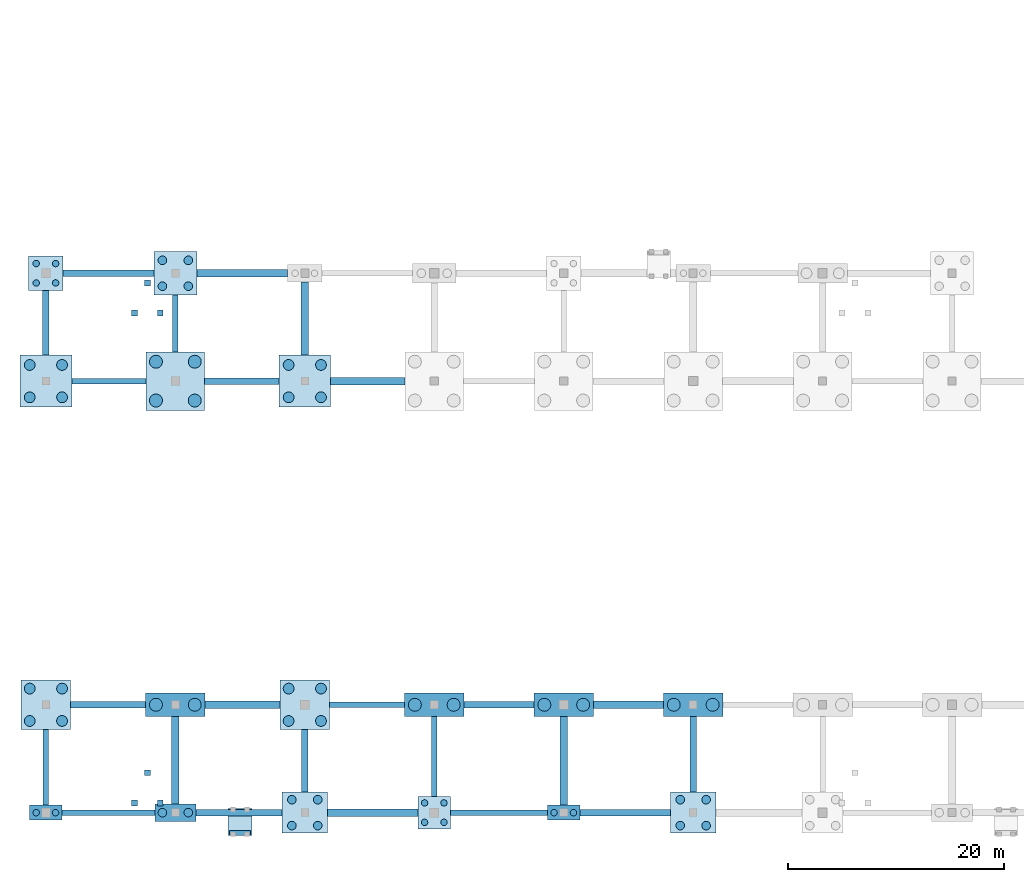
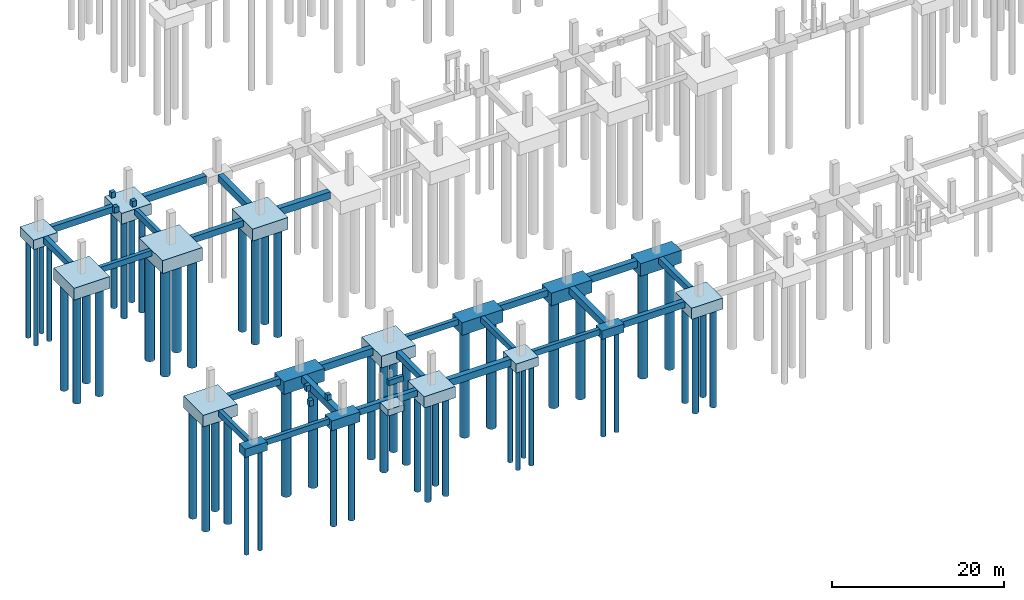
# One storey, part 1 of 19: 54 piles, 49 footings.
"""IFC4 building model written with IfcOpenShell, lengths in metres."""

import ifcopenshell
import ifcopenshell.guid

model = None  # the IFC model being written
_history = None  # IfcOwnerHistory: only IFC2X3 demands one
_inside = {}  # id of a spatial element -> (the spatial element, [elements in it])
_under = {}  # id of a project, library or spatial element -> (it, [spatial elements below it])
_declared = {}  # id of a project -> (the project, [libraries it declares])
_typed = {}  # id of a type object -> (the type object, [elements of that type])
_made_of = {}  # id of a material, layer set ... -> (it, [elements and type objects made of it])


def new_model(schema):
    """Start an empty IFC model of exactly this schema.

    Asked for "IFC4X3", IfcOpenShell would pick the latest addendum, in which some entities
    have other attributes; the version numbers below select the first issue.
    IFC2X3 requires an IfcOwnerHistory on every rooted entity: one is made here for all.
    """
    global model, _history
    if schema == "IFC4X3":
        model = ifcopenshell.file(schema_version=(4, 3, 0, 0))
    else:
        model = ifcopenshell.file(schema=schema)
    _inside.clear()
    _under.clear()
    _declared.clear()
    _typed.clear()
    _made_of.clear()
    _history = None
    if model.schema == "IFC2X3":
        org = make("IfcOrganization", Name="unknown")
        user = make(
            "IfcPersonAndOrganization",
            ThePerson=make("IfcPerson", FamilyName="unknown"),
            TheOrganization=org,
        )
        app = make(
            "IfcApplication",
            ApplicationDeveloper=org,
            Version="unknown",
            ApplicationFullName="unknown",
            ApplicationIdentifier="unknown",
        )
        _history = make(
            "IfcOwnerHistory",
            OwningUser=user,
            OwningApplication=app,
            ChangeAction="ADDED",
            CreationDate=0,
        )
    return model


def make(cls, **values):
    """One entity of the class cls with the attributes given. An attribute that is None is left unset."""
    return model.create_entity(
        cls, **{name: value for name, value in values.items() if value is not None}
    )


def rooted(cls, **values):
    """An entity with a GlobalId (a new one), such as an element, a storey or a relation."""
    return make(cls, GlobalId=ifcopenshell.guid.new(), OwnerHistory=_history, **values)


def si_unit(unit_type, name, prefix=None):
    """IfcSIUnit, for example si_unit("LENGTHUNIT", "METRE", prefix="MILLI")."""
    return make("IfcSIUnit", UnitType=unit_type, Prefix=prefix, Name=name)


def assignment(units):
    """IfcUnitAssignment: the units of a project."""
    return None if units is None else make("IfcUnitAssignment", Units=units)


def point(xyz):
    """IfcCartesianPoint."""
    return None if xyz is None else make("IfcCartesianPoint", Coordinates=xyz)


def direction(xyz):
    """IfcDirection."""
    return None if xyz is None else make("IfcDirection", DirectionRatios=xyz)


def frame(location, z_axis=None, x_axis=None):
    """IfcAxis2Placement3D, a coordinate frame: its origin and axes. An axis left out is left unset."""
    return make(
        "IfcAxis2Placement3D",
        Location=point(location),
        Axis=direction(z_axis),
        RefDirection=direction(x_axis),
    )


def frame_2d(location, x_axis=None):
    """IfcAxis2Placement2D, a coordinate frame in the plane: its origin and x axis."""
    return make(
        "IfcAxis2Placement2D", Location=point(location), RefDirection=direction(x_axis)
    )


def origin():
    """The frame at (0, 0, 0) with its axes left unset."""
    return frame((0.0, 0.0, 0.0))


def origin_2d():
    """The frame at (0, 0) in the plane with its x axis left unset."""
    return frame_2d((0.0, 0.0))


def place(relative_to, where):
    """IfcLocalPlacement: puts the frame where relative to a parent placement (None: the world)."""
    return make(
        "IfcLocalPlacement", PlacementRelTo=relative_to, RelativePlacement=where
    )


def context(
    kind, dimensions, precision=None, world=None, true_north=None, identifier=None
):
    """IfcGeometricRepresentationContext, for example the 3D "Model" context."""
    return make(
        "IfcGeometricRepresentationContext",
        ContextIdentifier=identifier,
        ContextType=kind,
        CoordinateSpaceDimension=dimensions,
        Precision=precision,
        WorldCoordinateSystem=world,
        TrueNorth=true_north,
    )


def subcontext(parent, identifier, kind, view, scale=None):
    """IfcGeometricRepresentationSubContext, for example "Body" below "Model"."""
    return make(
        "IfcGeometricRepresentationSubContext",
        ContextIdentifier=identifier,
        ContextType=kind,
        ParentContext=parent,
        TargetScale=scale,
        TargetView=view,
    )


def project(units=None, contexts=None):
    """IfcProject with its units and contexts."""
    return rooted(
        "IfcProject",
        Name="project",
        RepresentationContexts=contexts,
        UnitsInContext=assignment(units),
    )


def spatial(cls, under=None, at=None, **own):
    """A site, building, storey or space (cls), placed at a placement, below another one or the project."""
    s = rooted(cls, ObjectPlacement=at, **own)
    if under is not None:
        _under.setdefault(under.id(), (under, []))[1].append(s)
    return s


def polyline(points):
    """IfcPolyline through the points."""
    return make("IfcPolyline", Points=[point(p) for p in points])


def profile(cls, at=None, kind="AREA", **sizes):
    """A parametric profile (cls). Its sizes go by their IFC names, for example OverallWidth=200.0."""
    return make(cls, ProfileType=kind, Position=at, **sizes)


def rectangle(**sizes):
    """IfcRectangleProfileDef."""
    return profile("IfcRectangleProfileDef", **sizes)


def circle(**sizes):
    """IfcCircleProfileDef."""
    return profile("IfcCircleProfileDef", **sizes)


def outline(outer, holes=None, kind="AREA"):
    """IfcArbitraryClosedProfileDef: a profile drawn as a closed curve; with holes, ...WithVoids."""
    if holes is None:
        return make("IfcArbitraryClosedProfileDef", ProfileType=kind, OuterCurve=outer)
    return make(
        "IfcArbitraryProfileDefWithVoids",
        ProfileType=kind,
        OuterCurve=outer,
        InnerCurves=holes,
    )


def extrude(swept, where, along, depth):
    """IfcExtrudedAreaSolid: the profile swept, set in the frame where, extruded along a direction by depth."""
    return make(
        "IfcExtrudedAreaSolid",
        SweptArea=swept,
        Position=where,
        ExtrudedDirection=direction(along),
        Depth=depth,
    )


def shape(context_of_items, identifier, shape_type, items):
    """IfcShapeRepresentation: the items that make up one representation, for example the "Body"."""
    return make(
        "IfcShapeRepresentation",
        ContextOfItems=context_of_items,
        RepresentationIdentifier=identifier,
        RepresentationType=shape_type,
        Items=items,
    )


def material(Name=None, Category=None):
    """IfcMaterial."""
    return make("IfcMaterial", Name=Name, Category=Category)


def material_profile(
    of_material, cross_section, Name=None, Category=None, Priority=None
):
    """IfcMaterialProfile: a cross section and its material."""
    return make(
        "IfcMaterialProfile",
        Name=Name,
        Material=of_material,
        Profile=cross_section,
        Priority=Priority,
        Category=Category,
    )


def profile_set(profiles, Name=None, composite=None):
    """IfcMaterialProfileSet."""
    return make(
        "IfcMaterialProfileSet",
        Name=Name,
        MaterialProfiles=profiles,
        CompositeProfile=composite,
    )


def made_of(thing, what):
    """Note that an element or type object is made of a material, layer set ...; save() writes the relation."""
    if what is not None:
        _made_of.setdefault(what.id(), (what, []))[1].append(thing)
    return thing


def type_object(cls, material=None, **own):
    """A type object (cls), such as IfcWallType, which elements share."""
    return made_of(rooted(cls, **own), material)


def element(
    cls,
    number,
    at=None,
    inside=None,
    cuts=None,
    type_object=None,
    material=None,
    context=None,
    identifier="Body",
    shape_type=None,
    held_by="IfcProductDefinitionShape",
    body=None,
    shapes=None,
    **own,
):
    """One element of the class cls, such as IfcWall. Its Tag is "e" and its number.

    at: its placement. inside: the storey or other place that contains it. cuts: it is an
    opening in that element (IfcRelVoidsElement). A single representation is given by context,
    identifier, shape_type and body (its items); several are given by shapes. held_by: the class
    of the entity that holds the representations. save() writes the other relations.
    """
    e = rooted(cls, Tag="e%d" % number, ObjectPlacement=at, **own)
    if body is not None:
        shapes = [shape(context, identifier, shape_type, body)]
    if shapes is not None:
        e.Representation = make(held_by, Representations=shapes)
    if inside is not None:
        _inside.setdefault(inside.id(), (inside, []))[1].append(e)
    if cuts is not None:
        rooted(
            "IfcRelVoidsElement", RelatingBuildingElement=cuts, RelatedOpeningElement=e
        )
    if type_object is not None:
        _typed.setdefault(type_object.id(), (type_object, []))[1].append(e)
    return made_of(e, material)


def aggregate(whole, parts):
    """IfcRelAggregates: a whole, such as a stair, and the parts it consists of."""
    return rooted("IfcRelAggregates", RelatingObject=whole, RelatedObjects=parts)


def save(model, path):
    """Write the relations noted so far, then the file.

    IfcRelAggregates (storeys below a building ...), IfcRelContainedInSpatialStructure (elements
    in a storey), IfcRelDefinesByType, IfcRelAssociatesMaterial and IfcRelDeclares: one each for
    every whole, place, type object, material and project.
    """
    for whole, parts in _under.values():
        aggregate(whole, parts)
    for where, things in _inside.values():
        rooted(
            "IfcRelContainedInSpatialStructure",
            RelatedElements=things,
            RelatingStructure=where,
        )
    for kind, things in _typed.values():
        rooted("IfcRelDefinesByType", RelatedObjects=things, RelatingType=kind)
    for what, things in _made_of.values():
        rooted("IfcRelAssociatesMaterial", RelatedObjects=things, RelatingMaterial=what)
    for by, libraries in _declared.values():
        rooted("IfcRelDeclares", RelatingContext=by, RelatedDefinitions=libraries)
    model.write(path)


model = new_model("IFC4")

# Units and contexts
model_context = context("Model", 3, precision=1e-05, world=origin(), true_north=direction((0.0, 1.0)))
body_context = subcontext(model_context, "Body", "Model", "MODEL_VIEW")
ifc_project = project(units=[si_unit("LENGTHUNIT", "METRE"), si_unit("AREAUNIT", "SQUARE_METRE"), si_unit("VOLUMEUNIT", "CUBIC_METRE"), si_unit("PLANEANGLEUNIT", "RADIAN"), si_unit("MASSUNIT", "GRAM", prefix="KILO")], contexts=[model_context])

# Site, building, storey
site_placement = place(None, origin())
site = spatial("IfcSite", under=ifc_project, at=site_placement, CompositionType="ELEMENT")
building_placement = place(site_placement, origin())
building = spatial("IfcBuilding", under=site, at=building_placement, Name="Mersad Railyard Sports Hall", CompositionType="ELEMENT")
storey_placement = place(building_placement, frame((0.0, 0.0, -4.5)))
storey = spatial("IfcBuildingStorey", under=building, at=storey_placement, Name="B1", CompositionType="ELEMENT", Elevation=-4.5)

# Footings
ifc_material = material(Name="Concrete C40/50", Category="concrete")
footing_type_1 = type_object("IfcFootingType", Name="STR-FT-FB01", PredefinedType="FOOTING_BEAM", material=ifc_material)
footing_1_placement = place(storey_placement, frame((0.0, 0.0, -0.800048828125)))
element("IfcFooting", 1, at=footing_1_placement, inside=storey, type_object=footing_type_1, Name="Ground beam FB01-0001", PredefinedType="FOOTING_BEAM", context=body_context, shape_type="SweptSolid", body=[
    extrude(outline(polyline([(8.5, 3.25), (17.10009765625, 3.25), (17.10009765625, 3.75), (8.5, 3.75), (8.5, 3.25)])), origin(), (0.0, 0.0, 1.0), 0.800048828125),
])
footing_2_placement = place(storey_placement, frame((0.0, 0.0, -0.800048828125)))
element("IfcFooting", 2, at=footing_2_placement, inside=storey, type_object=footing_type_1, Name="Ground beam FB01-0004", PredefinedType="FOOTING_BEAM", context=body_context, shape_type="SweptSolid", body=[
    extrude(outline(polyline([(44.5, 3.25), (53.5, 3.25), (53.5, 3.75), (44.5, 3.75), (44.5, 3.25)])), origin(), (0.0, 0.0, 1.0), 0.800048828125),
])
footing_3_placement = place(storey_placement, frame((0.0, 0.0, -0.800048828125)))
element("IfcFooting", 3, at=footing_3_placement, inside=storey, type_object=footing_type_1, Name="Ground beam FB01-0016", PredefinedType="FOOTING_BEAM", context=body_context, shape_type="SweptSolid", body=[
    extrude(outline(polyline([(33.300048828125, 13.25), (40.25, 13.25), (40.25, 13.75), (33.300048828125, 13.75), (33.300048828125, 13.25)])), origin(), (0.0, 0.0, 1.0), 0.800048828125),
])
footing_4_placement = place(storey_placement, frame((0.0, 0.0, -0.800048828125)))
element("IfcFooting", 4, at=footing_4_placement, inside=storey, type_object=footing_type_1, Name="Ground beam FB01-0031", PredefinedType="FOOTING_BEAM", context=body_context, shape_type="SweptSolid", body=[
    extrude(outline(polyline([(9.39990234375, 43.25), (16.300048828125, 43.25), (16.300048828125, 43.75), (9.39990234375, 43.75), (9.39990234375, 43.25)])), origin(), (0.0, 0.0, 1.0), 0.800048828125),
])
footing_5_placement = place(storey_placement, frame((0.0, 0.0, -0.800048828125)))
element("IfcFooting", 5, at=footing_5_placement, inside=storey, type_object=footing_type_1, Name="Ground beam FB01-0106", PredefinedType="FOOTING_BEAM", context=body_context, shape_type="SweptSolid", body=[
    extrude(outline(polyline([(6.75, 4.199951171875), (7.25, 4.199951171875), (7.25, 11.199951171875), (6.75, 11.199951171875), (6.75, 4.199951171875)])), origin(), (0.0, 0.0, 1.0), 0.800048828125),
])
footing_6_placement = place(storey_placement, frame((0.0, 0.0, -0.800048828125)))
element("IfcFooting", 6, at=footing_6_placement, inside=storey, type_object=footing_type_1, Name="Ground beam FB01-0109", PredefinedType="FOOTING_BEAM", context=body_context, shape_type="SweptSolid", body=[
    extrude(outline(polyline([(18.75, 46.199951171875), (19.25, 46.199951171875), (19.25, 51.5), (18.75, 51.5), (18.75, 46.199951171875)])), origin(), (0.0, 0.0, 1.0), 0.800048828125),
])
footing_7_placement = place(storey_placement, frame((0.0, 0.0, -0.800048828125)))
element("IfcFooting", 7, at=footing_7_placement, inside=storey, type_object=footing_type_1, Name="Ground beam FB01-0112", PredefinedType="FOOTING_BEAM", context=body_context, shape_type="SweptSolid", body=[
    extrude(outline(polyline([(42.75, 5.0), (43.25, 5.0), (43.25, 12.39990234375), (42.75, 12.39990234375), (42.75, 5.0)])), origin(), (0.0, 0.0, 1.0), 0.800048828125),
])
footing_type_2 = type_object("IfcFootingType", Name="STR-FT-FB02", PredefinedType="FOOTING_BEAM", material=ifc_material)
footing_8_placement = place(storey_placement, frame((0.0, 0.0, -0.89990234375)))
element("IfcFooting", 8, at=footing_8_placement, inside=storey, type_object=footing_type_2, Name="Ground beam FB02-0002", PredefinedType="FOOTING_BEAM", context=body_context, shape_type="SweptSolid", body=[
    extrude(outline(polyline([(20.89990234375, 3.199951171875), (28.89990234375, 3.199951171875), (28.89990234375, 3.800048828125), (20.89990234375, 3.800048828125), (20.89990234375, 3.199951171875)])), origin(), (0.0, 0.0, 1.0), 0.89990234375),
])
footing_9_placement = place(storey_placement, frame((0.0, 0.0, -0.89990234375)))
element("IfcFooting", 9, at=footing_9_placement, inside=storey, type_object=footing_type_2, Name="Ground beam FB02-0005", PredefinedType="FOOTING_BEAM", context=body_context, shape_type="SweptSolid", body=[
    extrude(outline(polyline([(56.5, 3.199951171875), (64.89990234375, 3.199951171875), (64.89990234375, 3.800048828125), (56.5, 3.800048828125), (56.5, 3.199951171875)])), origin(), (0.0, 0.0, 1.0), 0.89990234375),
])
footing_10_placement = place(storey_placement, frame((0.0, 0.0, -0.89990234375)))
element("IfcFooting", 10, at=footing_10_placement, inside=storey, type_object=footing_type_2, Name="Ground beam FB02-0014", PredefinedType="FOOTING_BEAM", context=body_context, shape_type="SweptSolid", body=[
    extrude(outline(polyline([(9.300048828125, 13.199951171875), (16.25, 13.199951171875), (16.25, 13.800048828125), (9.300048828125, 13.800048828125), (9.300048828125, 13.199951171875)])), origin(), (0.0, 0.0, 1.0), 0.89990234375),
])
footing_11_placement = place(storey_placement, frame((0.0, 0.0, -0.89990234375)))
element("IfcFooting", 11, at=footing_11_placement, inside=storey, type_object=footing_type_2, Name="Ground beam FB02-0017", PredefinedType="FOOTING_BEAM", context=body_context, shape_type="SweptSolid", body=[
    extrude(outline(polyline([(45.75, 13.199951171875), (52.25, 13.199951171875), (52.25, 13.800048828125), (45.75, 13.800048828125), (45.75, 13.199951171875)])), origin(), (0.0, 0.0, 1.0), 0.89990234375),
])
footing_12_placement = place(storey_placement, frame((0.0, 0.0, -0.89990234375)))
element("IfcFooting", 12, at=footing_12_placement, inside=storey, type_object=footing_type_2, Name="Ground beam FB02-0032", PredefinedType="FOOTING_BEAM", context=body_context, shape_type="SweptSolid", body=[
    extrude(outline(polyline([(21.699951171875, 43.199951171875), (28.60009765625, 43.199951171875), (28.60009765625, 43.800048828125), (21.699951171875, 43.800048828125), (21.699951171875, 43.199951171875)])), origin(), (0.0, 0.0, 1.0), 0.89990234375),
])
footing_13_placement = place(storey_placement, frame((0.0, 0.0, -0.89990234375)))
element("IfcFooting", 13, at=footing_13_placement, inside=storey, type_object=footing_type_2, Name="Ground beam FB02-0044", PredefinedType="FOOTING_BEAM", context=body_context, shape_type="SweptSolid", body=[
    extrude(outline(polyline([(8.60009765625, 53.199951171875), (17.0, 53.199951171875), (17.0, 53.800048828125), (8.60009765625, 53.800048828125), (8.60009765625, 53.199951171875)])), origin(), (0.0, 0.0, 1.0), 0.89990234375),
])
footing_14_placement = place(storey_placement, frame((0.0, 0.0, -0.89990234375)))
element("IfcFooting", 14, at=footing_14_placement, inside=storey, type_object=footing_type_2, Name="Ground beam FB02-0107", PredefinedType="FOOTING_BEAM", context=body_context, shape_type="SweptSolid", body=[
    extrude(outline(polyline([(6.699951171875, 45.89990234375), (7.300048828125, 45.89990234375), (7.300048828125, 51.89990234375), (6.699951171875, 51.89990234375), (6.699951171875, 45.89990234375)])), origin(), (0.0, 0.0, 1.0), 0.89990234375),
])
footing_15_placement = place(storey_placement, frame((0.0, 0.0, -0.89990234375)))
element("IfcFooting", 15, at=footing_15_placement, inside=storey, type_object=footing_type_2, Name="Ground beam FB02-0110", PredefinedType="FOOTING_BEAM", context=body_context, shape_type="SweptSolid", body=[
    extrude(outline(polyline([(30.699951171875, 5.39990234375), (31.300048828125, 5.39990234375), (31.300048828125, 11.199951171875), (30.699951171875, 11.199951171875), (30.699951171875, 5.39990234375)])), origin(), (0.0, 0.0, 1.0), 0.89990234375),
])
footing_16_placement = place(storey_placement, frame((0.0, 0.0, -0.89990234375)))
element("IfcFooting", 16, at=footing_16_placement, inside=storey, type_object=footing_type_2, Name="Ground beam FB02-0122", PredefinedType="FOOTING_BEAM", context=body_context, shape_type="SweptSolid", body=[
    extrude(outline(polyline([(66.699951171875, 5.39990234375), (67.300048828125, 5.39990234375), (67.300048828125, 12.39990234375), (66.699951171875, 12.39990234375), (66.699951171875, 5.39990234375)])), origin(), (0.0, 0.0, 1.0), 0.89990234375),
])
footing_type_3 = type_object("IfcFootingType", Name="STR-FT-FB03", PredefinedType="FOOTING_BEAM", material=ifc_material)
footing_17_placement = place(storey_placement, frame((0.0, 0.0, -1.0)))
element("IfcFooting", 17, at=footing_17_placement, inside=storey, type_object=footing_type_3, Name="Ground beam FB03-0003", PredefinedType="FOOTING_BEAM", context=body_context, shape_type="SweptSolid", body=[
    extrude(outline(polyline([(33.10009765625, 3.14990234375), (41.5, 3.14990234375), (41.5, 3.85009765625), (33.10009765625, 3.85009765625), (33.10009765625, 3.14990234375)])), origin(), (0.0, 0.0, 1.0), 1.0),
])
footing_18_placement = place(storey_placement, frame((0.0, 0.0, -1.0)))
element("IfcFooting", 18, at=footing_18_placement, inside=storey, type_object=footing_type_3, Name="Ground beam FB03-0015", PredefinedType="FOOTING_BEAM", context=body_context, shape_type="SweptSolid", body=[
    extrude(outline(polyline([(21.75, 13.14990234375), (28.699951171875, 13.14990234375), (28.699951171875, 13.85009765625), (21.75, 13.85009765625), (21.75, 13.14990234375)])), origin(), (0.0, 0.0, 1.0), 1.0),
])
footing_19_placement = place(storey_placement, frame((0.0, 0.0, -1.0)))
element("IfcFooting", 19, at=footing_19_placement, inside=storey, type_object=footing_type_3, Name="Ground beam FB03-0018", PredefinedType="FOOTING_BEAM", context=body_context, shape_type="SweptSolid", body=[
    extrude(outline(polyline([(57.75, 13.14990234375), (64.25, 13.14990234375), (64.25, 13.85009765625), (57.75, 13.85009765625), (57.75, 13.14990234375)])), origin(), (0.0, 0.0, 1.0), 1.0),
])
footing_20_placement = place(storey_placement, frame((0.0, 0.0, -1.0)))
element("IfcFooting", 20, at=footing_20_placement, inside=storey, type_object=footing_type_3, Name="Ground beam FB03-0033", PredefinedType="FOOTING_BEAM", context=body_context, shape_type="SweptSolid", body=[
    extrude(outline(polyline([(33.39990234375, 43.14990234375), (40.300048828125, 43.14990234375), (40.300048828125, 43.85009765625), (33.39990234375, 43.85009765625), (33.39990234375, 43.14990234375)])), origin(), (0.0, 0.0, 1.0), 1.0),
])
footing_21_placement = place(storey_placement, frame((0.0, 0.0, -1.0)))
element("IfcFooting", 21, at=footing_21_placement, inside=storey, type_object=footing_type_3, Name="Ground beam FB03-0045", PredefinedType="FOOTING_BEAM", context=body_context, shape_type="SweptSolid", body=[
    extrude(outline(polyline([(21.0, 53.14990234375), (29.39990234375, 53.14990234375), (29.39990234375, 53.85009765625), (21.0, 53.85009765625), (21.0, 53.14990234375)])), origin(), (0.0, 0.0, 1.0), 1.0),
])
footing_22_placement = place(storey_placement, frame((0.0, 0.0, -1.0)))
element("IfcFooting", 22, at=footing_22_placement, inside=storey, type_object=footing_type_3, Name="Ground beam FB03-0108", PredefinedType="FOOTING_BEAM", context=body_context, shape_type="SweptSolid", body=[
    extrude(outline(polyline([(18.64990234375, 4.300048828125), (19.35009765625, 4.300048828125), (19.35009765625, 12.39990234375), (18.64990234375, 12.39990234375), (18.64990234375, 4.300048828125)])), origin(), (0.0, 0.0, 1.0), 1.0),
])
footing_23_placement = place(storey_placement, frame((0.0, 0.0, -1.0)))
element("IfcFooting", 23, at=footing_23_placement, inside=storey, type_object=footing_type_3, Name="Ground beam FB03-0111", PredefinedType="FOOTING_BEAM", context=body_context, shape_type="SweptSolid", body=[
    extrude(outline(polyline([(30.64990234375, 45.89990234375), (31.35009765625, 45.89990234375), (31.35009765625, 52.699951171875), (30.64990234375, 52.699951171875), (30.64990234375, 45.89990234375)])), origin(), (0.0, 0.0, 1.0), 1.0),
])
footing_24_placement = place(storey_placement, frame((0.0, 0.0, -1.0)))
element("IfcFooting", 24, at=footing_24_placement, inside=storey, type_object=footing_type_3, Name="Ground beam FB03-0117", PredefinedType="FOOTING_BEAM", context=body_context, shape_type="SweptSolid", body=[
    extrude(outline(polyline([(54.64990234375, 4.199951171875), (55.35009765625, 4.199951171875), (55.35009765625, 12.39990234375), (54.64990234375, 12.39990234375), (54.64990234375, 4.199951171875)])), origin(), (0.0, 0.0, 1.0), 1.0),
])
footing_type_4 = type_object("IfcFootingType", Name="STR-FT-PC01", PredefinedType="PILE_CAP", material=ifc_material)
for number, where, z_axis, x_axis, name in (
    (25, (7.0, 3.5, -1.2001953125), (0.0, 0.0, 1.0), (1.0, 0.0, 0.0), "Pile cap PC01 at (7.0,3.5)"),
    (26, (55.0, 3.5, -1.2001953125), (0.0, 0.0, 1.0), (1.0, 0.0, 0.0), "Pile cap PC01 at (55.0,3.5)"),
):
    element("IfcFooting", number, at=place(storey_placement, frame(where, z_axis=z_axis, x_axis=x_axis)), inside=storey, type_object=footing_type_4, Name=name, PredefinedType="PILE_CAP", context=body_context, shape_type="SweptSolid", body=[
        extrude(rectangle(XDim=3.0, YDim=1.39990234375, at=origin_2d()), origin(), (0.0, 0.0, 1.0), 1.199951171875),
    ])
footing_type_5 = type_object("IfcFootingType", Name="STR-FT-PC03", PredefinedType="PILE_CAP", material=ifc_material)
footing_25_placement = place(storey_placement, frame((43.0, 3.5, -1.2998046875), z_axis=(0.0, 0.0, 1.0), x_axis=(1.0, 0.0, 0.0)))
element("IfcFooting", 27, at=footing_25_placement, inside=storey, type_object=footing_type_5, Name="Pile cap PC03 at (43.0,3.5)", PredefinedType="PILE_CAP", context=body_context, shape_type="SweptSolid", body=[
    extrude(rectangle(XDim=3.0, YDim=3.0, at=origin_2d()), origin(), (0.0, 0.0, 1.0), 1.300048828125),
])
footing_type_6 = type_object("IfcFootingType", Name="STR-FT-PC04", PredefinedType="PILE_CAP", material=ifc_material)
footing_26_placement = place(storey_placement, frame((7.0, 53.5, -1.35009765625), z_axis=(0.0, 0.0, 1.0), x_axis=(1.0, 0.0, 0.0)))
element("IfcFooting", 28, at=footing_26_placement, inside=storey, type_object=footing_type_6, Name="Pile cap PC04 at (7.0,53.5)", PredefinedType="PILE_CAP", context=body_context, shape_type="SweptSolid", body=[
    extrude(rectangle(XDim=3.199951171875, YDim=3.199951171875, at=origin_2d()), origin(), (0.0, 0.0, 1.0), 1.35009765625),
])
footing_type_7 = type_object("IfcFootingType", Name="STR-FT-PC05", PredefinedType="PILE_CAP", material=ifc_material)
footing_27_placement = place(storey_placement, frame((19.0, 3.5, -1.39990234375), z_axis=(0.0, 0.0, 1.0), x_axis=(1.0, 0.0, 0.0)))
element("IfcFooting", 29, at=footing_27_placement, inside=storey, type_object=footing_type_7, Name="Pile cap PC05 at (19.0,3.5)", PredefinedType="PILE_CAP", context=body_context, shape_type="SweptSolid", body=[
    extrude(rectangle(XDim=3.800048828125, YDim=1.60009765625, at=origin_2d()), origin(), (0.0, 0.0, 1.0), 1.39990234375),
])
footing_type_8 = type_object("IfcFootingType", Name="STR-FT-PC08", PredefinedType="PILE_CAP", material=ifc_material)
footing_28_placement = place(storey_placement, frame((19.0, 53.5, -1.5498046875), z_axis=(0.0, 0.0, 1.0), x_axis=(1.0, 0.0, 0.0)))
element("IfcFooting", 30, at=footing_28_placement, inside=storey, type_object=footing_type_8, Name="Pile cap PC08 at (19.0,53.5)", PredefinedType="PILE_CAP", context=body_context, shape_type="SweptSolid", body=[
    extrude(rectangle(XDim=4.0, YDim=4.0, at=origin_2d()), origin(), (0.0, 0.0, 1.0), 1.550048828125),
])
footing_type_9 = type_object("IfcFootingType", Name="STR-FT-PC09", PredefinedType="PILE_CAP", material=ifc_material)
for number, where, z_axis, x_axis, name in (
    (31, (31.0, 3.5, -1.60009765625), (0.0, 0.0, 1.0), (1.0, 0.0, 0.0), "Pile cap PC09 at (31.0,3.5)"),
    (32, (67.0, 3.5, -1.60009765625), (0.0, 0.0, 1.0), (1.0, 0.0, 0.0), "Pile cap PC09 at (67.0,3.5)"),
):
    element("IfcFooting", number, at=place(storey_placement, frame(where, z_axis=z_axis, x_axis=x_axis)), inside=storey, type_object=footing_type_9, Name=name, PredefinedType="PILE_CAP", context=body_context, shape_type="SweptSolid", body=[
        extrude(rectangle(XDim=4.199951171875, YDim=3.800048828125, at=origin_2d()), origin(), (0.0, 0.0, 1.0), 1.60009765625),
    ])
footing_type_10 = type_object("IfcFootingType", Name="STR-FT-PC12", PredefinedType="PILE_CAP", material=ifc_material)
for number, where, z_axis, x_axis, name in (
    (33, (7.0, 13.5, -1.64990234375), (0.0, 0.0, 1.0), (1.0, 0.0, 0.0), "Pile cap PC12 at (7.0,13.5)"),
    (34, (31.0, 13.5, -1.64990234375), (0.0, 0.0, 1.0), (1.0, 0.0, 0.0), "Pile cap PC12 at (31.0,13.5)"),
):
    element("IfcFooting", number, at=place(storey_placement, frame(where, z_axis=z_axis, x_axis=x_axis)), inside=storey, type_object=footing_type_10, Name=name, PredefinedType="PILE_CAP", context=body_context, shape_type="SweptSolid", body=[
        extrude(rectangle(XDim=4.60009765625, YDim=4.60009765625, at=origin_2d()), origin(), (0.0, 0.0, 1.0), 1.64990234375),
    ])
footing_type_11 = type_object("IfcFootingType", Name="STR-FT-PC13", PredefinedType="PILE_CAP", material=ifc_material)
for number, where, z_axis, x_axis, name in (
    (35, (7.0, 43.5, -1.7001953125), (0.0, 0.0, 1.0), (1.0, 0.0, 0.0), "Pile cap PC13 at (7.0,43.5)"),
    (36, (31.0, 43.5, -1.7001953125), (0.0, 0.0, 1.0), (1.0, 0.0, 0.0), "Pile cap PC13 at (31.0,43.5)"),
):
    element("IfcFooting", number, at=place(storey_placement, frame(where, z_axis=z_axis, x_axis=x_axis)), inside=storey, type_object=footing_type_11, Name=name, PredefinedType="PILE_CAP", context=body_context, shape_type="SweptSolid", body=[
        extrude(rectangle(XDim=4.800048828125, YDim=4.800048828125, at=origin_2d()), origin(), (0.0, 0.0, 1.0), 1.699951171875),
    ])
footing_type_12 = type_object("IfcFootingType", Name="STR-FT-PC16", PredefinedType="PILE_CAP", material=ifc_material)
for number, where, z_axis, x_axis, name in (
    (37, (19.0, 13.5, -1.7998046875), (0.0, 0.0, 1.0), (1.0, 0.0, 0.0), "Pile cap PC16 at (19.0,13.5)"),
    (38, (43.0, 13.5, -1.7998046875), (0.0, 0.0, 1.0), (1.0, 0.0, 0.0), "Pile cap PC16 at (43.0,13.5)"),
    (39, (55.0, 13.5, -1.7998046875), (0.0, 0.0, 1.0), (1.0, 0.0, 0.0), "Pile cap PC16 at (55.0,13.5)"),
    (40, (67.0, 13.5, -1.7998046875), (0.0, 0.0, 1.0), (1.0, 0.0, 0.0), "Pile cap PC16 at (67.0,13.5)"),
):
    element("IfcFooting", number, at=place(storey_placement, frame(where, z_axis=z_axis, x_axis=x_axis)), inside=storey, type_object=footing_type_12, Name=name, PredefinedType="PILE_CAP", context=body_context, shape_type="SweptSolid", body=[
        extrude(rectangle(XDim=5.5, YDim=2.199951171875, at=origin_2d()), origin(), (0.0, 0.0, 1.0), 1.800048828125),
    ])
footing_type_13 = type_object("IfcFootingType", Name="STR-FT-PC17", PredefinedType="PILE_CAP", material=ifc_material)
footing_29_placement = place(storey_placement, frame((19.0, 43.5, -1.85009765625), z_axis=(0.0, 0.0, 1.0), x_axis=(1.0, 0.0, 0.0)))
element("IfcFooting", 41, at=footing_29_placement, inside=storey, type_object=footing_type_13, Name="Pile cap PC17 at (19.0,43.5)", PredefinedType="PILE_CAP", context=body_context, shape_type="SweptSolid", body=[
    extrude(rectangle(XDim=5.39990234375, YDim=5.39990234375, at=origin_2d()), origin(), (0.0, 0.0, 1.0), 1.85009765625),
])
footing_type_14 = type_object("IfcFootingType", Name="STR-FT-PF01", PredefinedType="PAD_FOOTING", material=ifc_material)
footing_30_placement = place(storey_placement, frame((25.0, 1.60009765625, 3.39990234375), z_axis=(0.0, 0.0, 1.0), x_axis=(1.0, 0.0, 0.0)))
element("IfcFooting", 42, at=footing_30_placement, inside=storey, type_object=footing_type_14, Name="Plinth hall south accessible ramp grade bed footing", PredefinedType="PAD_FOOTING", context=body_context, shape_type="SweptSolid", body=[
    extrude(rectangle(XDim=1.949951171875, YDim=0.449951171875, at=origin_2d()), origin(), (0.0, 0.0, 1.0), 0.75),
])
for number, where, z_axis, x_axis, name in (
    (43, (15.199951171875, 4.39990234375, 1.9501953125), (0.0, 0.0, 1.0), (1.0, 0.0, 0.0), "Lift PL-07 pit corner pad 1"),
    (44, (17.60009765625, 4.39990234375, 1.9501953125), (0.0, 0.0, 1.0), (1.0, 0.0, 0.0), "Lift PL-07 pit corner pad 2"),
    (45, (16.39990234375, 7.199951171875, 1.9501953125), (0.0, 0.0, 1.0), (1.0, 0.0, 0.0), "Lift PL-07 pit corner pad 3"),
    (46, (15.199951171875, 49.800048828125, 1.9501953125), (0.0, 0.0, 1.0), (1.0, 0.0, 0.0), "Lift PL-09 pit corner pad 1"),
    (47, (17.60009765625, 49.800048828125, 1.9501953125), (0.0, 0.0, 1.0), (1.0, 0.0, 0.0), "Lift PL-09 pit corner pad 2"),
    (48, (16.39990234375, 52.60009765625, 1.9501953125), (0.0, 0.0, 1.0), (1.0, 0.0, 0.0), "Lift PL-09 pit corner pad 3"),
):
    element("IfcFooting", number, at=place(storey_placement, frame(where, z_axis=z_axis, x_axis=x_axis)), inside=storey, type_object=footing_type_14, Name=name, PredefinedType="PAD_FOOTING", context=body_context, shape_type="SweptSolid", body=[
        extrude(rectangle(XDim=0.550048828125, YDim=0.550048828125, at=origin_2d()), origin(), (0.0, 0.0, 1.0), 0.800048828125),
    ])
footing_type_15 = type_object("IfcFootingType", Name="STR-FT-PF05", PredefinedType="PAD_FOOTING", material=ifc_material)
footing_31_placement = place(storey_placement, frame((25.0, 2.64990234375, -0.89990234375), z_axis=(0.0, 0.0, 1.0), x_axis=(1.0, 0.0, 0.0)))
element("IfcFooting", 49, at=footing_31_placement, inside=storey, type_object=footing_type_15, Name="Plinth hall south accessible ramp foundation pad", PredefinedType="PAD_FOOTING", context=body_context, shape_type="SweptSolid", body=[
    extrude(rectangle(XDim=2.199951171875, YDim=2.5, at=origin_2d()), origin(), (0.0, 0.0, 1.0), 0.89990234375),
])

# Piles
ifc_material_profile_1 = material_profile(ifc_material, circle(Radius=0.5, at=origin_2d()), Name="BORED PILE D1000")
ifc_profile_set_1 = profile_set([ifc_material_profile_1], Name="Concrete C40/50")
pile_type_1 = type_object("IfcPileType", Name="STR-PL-P1000", PredefinedType="BORED", material=ifc_profile_set_1)
for number, where, z_axis, x_axis, name in (
    (50, (5.5, 12.0, -1.5), (0.0, 0.0, -1.0), (1.0, 0.0, 0.0), "Bored pile PL03-0003"),
    (51, (8.5, 12.0, -1.5), (0.0, 0.0, -1.0), (1.0, 0.0, 0.0), "Bored pile PL03-0004"),
    (52, (5.5, 15.0, -1.5), (0.0, 0.0, -1.0), (1.0, 0.0, 0.0), "Bored pile PL03-0005"),
    (53, (8.5, 15.0, -1.5), (0.0, 0.0, -1.0), (1.0, 0.0, 0.0), "Bored pile PL03-0006"),
):
    element("IfcPile", number, at=place(storey_placement, frame(where, z_axis=z_axis, x_axis=x_axis)), inside=storey, type_object=pile_type_1, Name=name, PredefinedType="BORED", context=body_context, shape_type="SweptSolid", body=[
        extrude(circle(Radius=0.5, at=origin_2d()), origin(), (0.0, 0.0, 1.0), 15.5),
    ])
for number, where, z_axis, x_axis, name in (
    (54, (5.5, 42.0, -1.550048828125), (0.0, 0.0, -1.0), (1.0, 0.0, 0.0), "Bored pile PL03-0007"),
    (55, (8.5, 42.0, -1.550048828125), (0.0, 0.0, -1.0), (1.0, 0.0, 0.0), "Bored pile PL03-0008"),
    (56, (5.5, 45.0, -1.550048828125), (0.0, 0.0, -1.0), (1.0, 0.0, 0.0), "Bored pile PL03-0009"),
    (57, (8.5, 45.0, -1.550048828125), (0.0, 0.0, -1.0), (1.0, 0.0, 0.0), "Bored pile PL03-0010"),
):
    element("IfcPile", number, at=place(storey_placement, frame(where, z_axis=z_axis, x_axis=x_axis)), inside=storey, type_object=pile_type_1, Name=name, PredefinedType="BORED", context=body_context, shape_type="SweptSolid", body=[
        extrude(circle(Radius=0.5, at=origin_2d()), origin(), (0.0, 0.0, 1.0), 15.449951171875),
    ])
for number, where, z_axis, x_axis, name in (
    (58, (29.5, 12.0, -1.5), (0.0, 0.0, -1.0), (1.0, 0.0, 0.0), "Bored pile PL03-0031"),
    (59, (32.5, 12.0, -1.5), (0.0, 0.0, -1.0), (1.0, 0.0, 0.0), "Bored pile PL03-0032"),
    (60, (29.5, 15.0, -1.5), (0.0, 0.0, -1.0), (1.0, 0.0, 0.0), "Bored pile PL03-0033"),
    (61, (32.5, 15.0, -1.5), (0.0, 0.0, -1.0), (1.0, 0.0, 0.0), "Bored pile PL03-0034"),
):
    element("IfcPile", number, at=place(storey_placement, frame(where, z_axis=z_axis, x_axis=x_axis)), inside=storey, type_object=pile_type_1, Name=name, PredefinedType="BORED", context=body_context, shape_type="SweptSolid", body=[
        extrude(circle(Radius=0.5, at=origin_2d()), origin(), (0.0, 0.0, 1.0), 15.5),
    ])
for number, where, z_axis, x_axis, name in (
    (62, (29.5, 42.0, -1.550048828125), (0.0, 0.0, -1.0), (1.0, 0.0, 0.0), "Bored pile PL03-0035"),
    (63, (32.5, 42.0, -1.550048828125), (0.0, 0.0, -1.0), (1.0, 0.0, 0.0), "Bored pile PL03-0036"),
    (64, (29.5, 45.0, -1.550048828125), (0.0, 0.0, -1.0), (1.0, 0.0, 0.0), "Bored pile PL03-0037"),
    (65, (32.5, 45.0, -1.550048828125), (0.0, 0.0, -1.0), (1.0, 0.0, 0.0), "Bored pile PL03-0038"),
):
    element("IfcPile", number, at=place(storey_placement, frame(where, z_axis=z_axis, x_axis=x_axis)), inside=storey, type_object=pile_type_1, Name=name, PredefinedType="BORED", context=body_context, shape_type="SweptSolid", body=[
        extrude(circle(Radius=0.5, at=origin_2d()), origin(), (0.0, 0.0, 1.0), 15.449951171875),
    ])
ifc_material_profile_2 = material_profile(ifc_material, circle(Radius=0.60009765625, at=origin_2d()), Name="BORED PILE D1200")
ifc_profile_set_2 = profile_set([ifc_material_profile_2], Name="Concrete C40/50")
pile_type_2 = type_object("IfcPileType", Name="STR-PL-P1200", PredefinedType="BORED", material=ifc_profile_set_2)
for number, where, z_axis, x_axis, name in (
    (66, (17.199951171875, 13.5, -1.64990234375), (0.0, 0.0, -1.0), (1.0, 0.0, 0.0), "Bored pile PL04-0017"),
    (67, (20.800048828125, 13.5, -1.64990234375), (0.0, 0.0, -1.0), (1.0, 0.0, 0.0), "Bored pile PL04-0018"),
):
    element("IfcPile", number, at=place(storey_placement, frame(where, z_axis=z_axis, x_axis=x_axis)), inside=storey, type_object=pile_type_2, Name=name, PredefinedType="BORED", context=body_context, shape_type="SweptSolid", body=[
        extrude(circle(Radius=0.60009765625, at=origin_2d()), origin(), (0.0, 0.0, 1.0), 15.35009765625),
    ])
for number, where, z_axis, x_axis, name in (
    (68, (17.199951171875, 41.699951171875, -1.699951171875), (0.0, 0.0, -1.0), (1.0, 0.0, 0.0), "Bored pile PL04-0019"),
    (69, (20.800048828125, 41.699951171875, -1.699951171875), (0.0, 0.0, -1.0), (1.0, 0.0, 0.0), "Bored pile PL04-0020"),
    (70, (17.199951171875, 45.300048828125, -1.699951171875), (0.0, 0.0, -1.0), (1.0, 0.0, 0.0), "Bored pile PL04-0021"),
    (71, (20.800048828125, 45.300048828125, -1.699951171875), (0.0, 0.0, -1.0), (1.0, 0.0, 0.0), "Bored pile PL04-0022"),
):
    element("IfcPile", number, at=place(storey_placement, frame(where, z_axis=z_axis, x_axis=x_axis)), inside=storey, type_object=pile_type_2, Name=name, PredefinedType="BORED", context=body_context, shape_type="SweptSolid", body=[
        extrude(circle(Radius=0.60009765625, at=origin_2d()), origin(), (0.0, 0.0, 1.0), 15.300048828125),
    ])
for number, where, z_axis, x_axis, name in (
    (72, (41.199951171875, 13.5, -1.64990234375), (0.0, 0.0, -1.0), (1.0, 0.0, 0.0), "Bored pile PL04-0045"),
    (73, (44.800048828125, 13.5, -1.64990234375), (0.0, 0.0, -1.0), (1.0, 0.0, 0.0), "Bored pile PL04-0046"),
    (74, (53.199951171875, 13.5, -1.64990234375), (0.0, 0.0, -1.0), (1.0, 0.0, 0.0), "Bored pile PL04-0069"),
    (75, (56.800048828125, 13.5, -1.64990234375), (0.0, 0.0, -1.0), (1.0, 0.0, 0.0), "Bored pile PL04-0070"),
    (76, (65.199951171875, 13.5, -1.64990234375), (0.0, 0.0, -1.0), (1.0, 0.0, 0.0), "Bored pile PL04-0095"),
    (77, (68.800048828125, 13.5, -1.64990234375), (0.0, 0.0, -1.0), (1.0, 0.0, 0.0), "Bored pile PL04-0096"),
):
    element("IfcPile", number, at=place(storey_placement, frame(where, z_axis=z_axis, x_axis=x_axis)), inside=storey, type_object=pile_type_2, Name=name, PredefinedType="BORED", context=body_context, shape_type="SweptSolid", body=[
        extrude(circle(Radius=0.60009765625, at=origin_2d()), origin(), (0.0, 0.0, 1.0), 15.35009765625),
    ])
ifc_material_profile_3 = material_profile(ifc_material, circle(Radius=0.300048828125, at=origin_2d()), Name="BORED PILE D600")
ifc_profile_set_3 = profile_set([ifc_material_profile_3], Name="Concrete C40/50")
pile_type_3 = type_object("IfcPileType", Name="STR-PL-P600", PredefinedType="BORED", material=ifc_profile_set_3)
for number, where, z_axis, x_axis, name in (
    (78, (6.10009765625, 3.5, -1.050048828125), (0.0, 0.0, -1.0), (1.0, 0.0, 0.0), "Bored pile PL01-0001"),
    (79, (7.89990234375, 3.5, -1.050048828125), (0.0, 0.0, -1.0), (1.0, 0.0, 0.0), "Bored pile PL01-0002"),
):
    element("IfcPile", number, at=place(storey_placement, frame(where, z_axis=z_axis, x_axis=x_axis)), inside=storey, type_object=pile_type_3, Name=name, PredefinedType="BORED", context=body_context, shape_type="SweptSolid", body=[
        extrude(circle(Radius=0.300048828125, at=origin_2d()), origin(), (0.0, 0.0, 1.0), 14.449951171875),
    ])
for number, where, z_axis, x_axis, name in (
    (80, (6.10009765625, 52.60009765625, -1.199951171875), (0.0, 0.0, -1.0), (1.0, 0.0, 0.0), "Bored pile PL01-0011"),
    (81, (7.89990234375, 52.60009765625, -1.199951171875), (0.0, 0.0, -1.0), (1.0, 0.0, 0.0), "Bored pile PL01-0012"),
    (82, (6.10009765625, 54.39990234375, -1.199951171875), (0.0, 0.0, -1.0), (1.0, 0.0, 0.0), "Bored pile PL01-0013"),
    (83, (7.89990234375, 54.39990234375, -1.199951171875), (0.0, 0.0, -1.0), (1.0, 0.0, 0.0), "Bored pile PL01-0014"),
):
    element("IfcPile", number, at=place(storey_placement, frame(where, z_axis=z_axis, x_axis=x_axis)), inside=storey, type_object=pile_type_3, Name=name, PredefinedType="BORED", context=body_context, shape_type="SweptSolid", body=[
        extrude(circle(Radius=0.300048828125, at=origin_2d()), origin(), (0.0, 0.0, 1.0), 14.300048828125),
    ])
for number, where, z_axis, x_axis, name in (
    (84, (42.10009765625, 2.60009765625, -1.14990234375), (0.0, 0.0, -1.0), (1.0, 0.0, 0.0), "Bored pile PL01-0041"),
    (85, (43.89990234375, 2.60009765625, -1.14990234375), (0.0, 0.0, -1.0), (1.0, 0.0, 0.0), "Bored pile PL01-0042"),
    (86, (42.10009765625, 4.39990234375, -1.14990234375), (0.0, 0.0, -1.0), (1.0, 0.0, 0.0), "Bored pile PL01-0043"),
    (87, (43.89990234375, 4.39990234375, -1.14990234375), (0.0, 0.0, -1.0), (1.0, 0.0, 0.0), "Bored pile PL01-0044"),
):
    element("IfcPile", number, at=place(storey_placement, frame(where, z_axis=z_axis, x_axis=x_axis)), inside=storey, type_object=pile_type_3, Name=name, PredefinedType="BORED", context=body_context, shape_type="SweptSolid", body=[
        extrude(circle(Radius=0.300048828125, at=origin_2d()), origin(), (0.0, 0.0, 1.0), 14.35009765625),
    ])
for number, where, z_axis, x_axis, name in (
    (88, (54.10009765625, 3.5, -1.050048828125), (0.0, 0.0, -1.0), (1.0, 0.0, 0.0), "Bored pile PL01-0067"),
    (89, (55.89990234375, 3.5, -1.050048828125), (0.0, 0.0, -1.0), (1.0, 0.0, 0.0), "Bored pile PL01-0068"),
):
    element("IfcPile", number, at=place(storey_placement, frame(where, z_axis=z_axis, x_axis=x_axis)), inside=storey, type_object=pile_type_3, Name=name, PredefinedType="BORED", context=body_context, shape_type="SweptSolid", body=[
        extrude(circle(Radius=0.300048828125, at=origin_2d()), origin(), (0.0, 0.0, 1.0), 14.449951171875),
    ])
ifc_material_profile_4 = material_profile(ifc_material, circle(Radius=0.39990234375, at=origin_2d()), Name="BORED PILE D800")
ifc_profile_set_4 = profile_set([ifc_material_profile_4], Name="Concrete C40/50")
pile_type_4 = type_object("IfcPileType", Name="STR-PL-P800", PredefinedType="BORED", material=ifc_profile_set_4)
for number, where, z_axis, x_axis, name in (
    (90, (17.800048828125, 3.5, -1.25), (0.0, 0.0, -1.0), (1.0, 0.0, 0.0), "Bored pile PL02-0015"),
    (91, (20.199951171875, 3.5, -1.25), (0.0, 0.0, -1.0), (1.0, 0.0, 0.0), "Bored pile PL02-0016"),
):
    element("IfcPile", number, at=place(storey_placement, frame(where, z_axis=z_axis, x_axis=x_axis)), inside=storey, type_object=pile_type_4, Name=name, PredefinedType="BORED", context=body_context, shape_type="SweptSolid", body=[
        extrude(circle(Radius=0.39990234375, at=origin_2d()), origin(), (0.0, 0.0, 1.0), 14.25),
    ])
for number, where, z_axis, x_axis, name in (
    (92, (17.800048828125, 52.300048828125, -1.39990234375), (0.0, 0.0, -1.0), (1.0, 0.0, 0.0), "Bored pile PL02-0023"),
    (93, (20.199951171875, 52.300048828125, -1.39990234375), (0.0, 0.0, -1.0), (1.0, 0.0, 0.0), "Bored pile PL02-0024"),
    (94, (17.800048828125, 54.699951171875, -1.39990234375), (0.0, 0.0, -1.0), (1.0, 0.0, 0.0), "Bored pile PL02-0025"),
    (95, (20.199951171875, 54.699951171875, -1.39990234375), (0.0, 0.0, -1.0), (1.0, 0.0, 0.0), "Bored pile PL02-0026"),
):
    element("IfcPile", number, at=place(storey_placement, frame(where, z_axis=z_axis, x_axis=x_axis)), inside=storey, type_object=pile_type_4, Name=name, PredefinedType="BORED", context=body_context, shape_type="SweptSolid", body=[
        extrude(circle(Radius=0.39990234375, at=origin_2d()), origin(), (0.0, 0.0, 1.0), 14.10009765625),
    ])
for number, where, z_axis, x_axis, name in (
    (96, (29.800048828125, 2.300048828125, -1.449951171875), (0.0, 0.0, -1.0), (1.0, 0.0, 0.0), "Bored pile PL02-0027"),
    (97, (32.199951171875, 2.300048828125, -1.449951171875), (0.0, 0.0, -1.0), (1.0, 0.0, 0.0), "Bored pile PL02-0028"),
    (98, (29.800048828125, 4.699951171875, -1.449951171875), (0.0, 0.0, -1.0), (1.0, 0.0, 0.0), "Bored pile PL02-0029"),
    (99, (32.199951171875, 4.699951171875, -1.449951171875), (0.0, 0.0, -1.0), (1.0, 0.0, 0.0), "Bored pile PL02-0030"),
    (100, (65.800048828125, 2.300048828125, -1.449951171875), (0.0, 0.0, -1.0), (1.0, 0.0, 0.0), "Bored pile PL02-0091"),
    (101, (68.199951171875, 2.300048828125, -1.449951171875), (0.0, 0.0, -1.0), (1.0, 0.0, 0.0), "Bored pile PL02-0092"),
    (102, (65.800048828125, 4.699951171875, -1.449951171875), (0.0, 0.0, -1.0), (1.0, 0.0, 0.0), "Bored pile PL02-0093"),
    (103, (68.199951171875, 4.699951171875, -1.449951171875), (0.0, 0.0, -1.0), (1.0, 0.0, 0.0), "Bored pile PL02-0094"),
):
    element("IfcPile", number, at=place(storey_placement, frame(where, z_axis=z_axis, x_axis=x_axis)), inside=storey, type_object=pile_type_4, Name=name, PredefinedType="BORED", context=body_context, shape_type="SweptSolid", body=[
        extrude(circle(Radius=0.39990234375, at=origin_2d()), origin(), (0.0, 0.0, 1.0), 14.050048828125),
    ])

save(model, "model.ifc")
